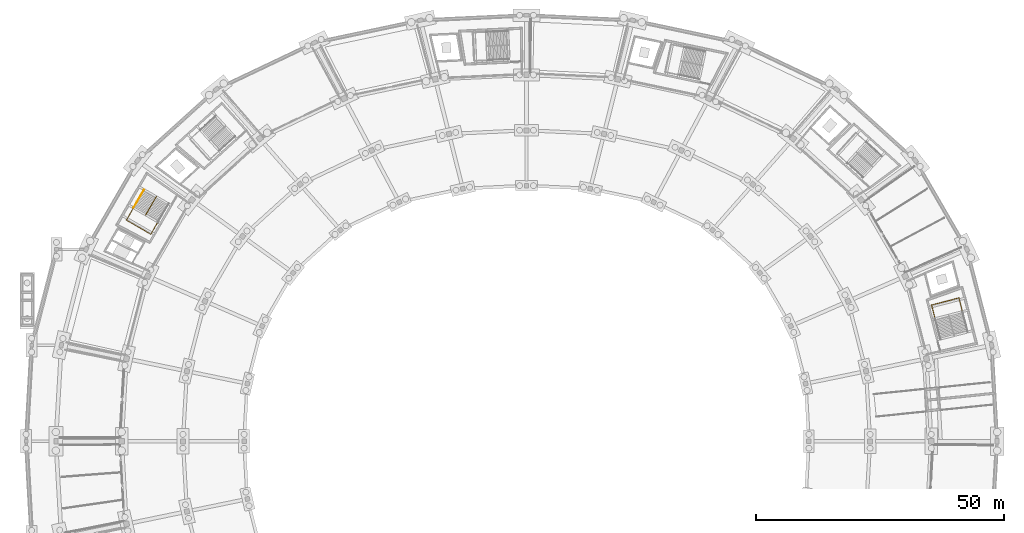
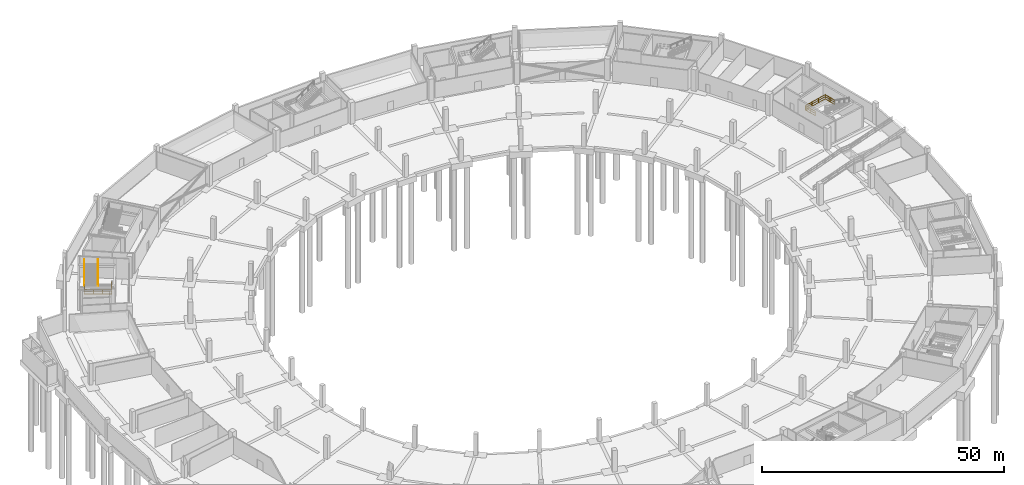
# One storey, part 46 of 49: 4 railings.
"""IFC4 building model written with IfcOpenShell, lengths in metres."""

from ifc_helpers import new_model, si_unit, direction, frame, origin, origin_2d, place, context, subcontext, project, spatial, rectangle, extrude, material, type_object, element, save


model = new_model("IFC4")

# Units and contexts
model_context = context("Model", 3, precision=1e-05, world=origin(), true_north=direction((0.0, 1.0)))
body_context = subcontext(model_context, "Body", "Model", "MODEL_VIEW")
ifc_project = project(units=[si_unit("LENGTHUNIT", "METRE"), si_unit("AREAUNIT", "SQUARE_METRE"), si_unit("VOLUMEUNIT", "CUBIC_METRE"), si_unit("PLANEANGLEUNIT", "RADIAN"), si_unit("MASSUNIT", "GRAM", prefix="KILO")], contexts=[model_context])

# Site, building, storey
site_placement = place(None, origin())
site = spatial("IfcSite", under=ifc_project, at=site_placement, CompositionType="ELEMENT")
building_placement = place(site_placement, origin())
building = spatial("IfcBuilding", under=site, at=building_placement, Name="Kazemori Nagisa Stadium", CompositionType="ELEMENT")
storey_placement = place(building_placement, frame((0.0, 0.0, -5.43994140625)))
storey = spatial("IfcBuildingStorey", under=building, at=storey_placement, Name="B1", CompositionType="ELEMENT", Elevation=-5.43994140625)

# Railings
ifc_material_1 = material(Name="Galvanised powder-coated steel", Category="steel")
railing_type_1 = type_object("IfcRailingType", Name="Rail_GUARD", PredefinedType="GUARDRAIL", material=ifc_material_1)
railing_1_placement = place(storey_placement, frame((205.472412109375, 126.751708984375, 2.719970703125)))
element("IfcRailing", 1, at=railing_1_placement, inside=storey, type_object=railing_type_1, Name="Stair landing guard ST07-B1", PredefinedType="GUARDRAIL", context=body_context, shape_type="SweptSolid", body=[
    extrude(rectangle(XDim=0.050048828125, YDim=0.050048828125, at=origin_2d()), frame((0.0, 0.0, 1.09521484375), z_axis=(-0.249966105142, 0.968254587534, 0.0), x_axis=(-0.968254587534, -0.249966105142, 0.0)), (0.0, 0.0, 1.0), 2.85009765625),
    extrude(rectangle(XDim=0.03759765625, YDim=0.03759765625, at=origin_2d()), frame((0.0, 0.0, 0.58251953125), z_axis=(-0.249966105142, 0.968254587534, 0.0), x_axis=(-0.968254587534, -0.249966105142, 0.0)), (0.0, 0.0, 1.0), 2.85009765625),
    extrude(rectangle(XDim=0.03759765625, YDim=0.03759765625, at=origin_2d()), frame((0.0, 0.0, 0.02490234375), z_axis=(-0.249966105142, 0.968254587534, 0.0), x_axis=(-0.968254587534, -0.249966105142, 0.0)), (0.0, 0.0, 1.0), 2.85009765625),
    extrude(rectangle(XDim=0.050048828125, YDim=0.050048828125, at=origin_2d()), frame((-0.71240234375, 2.759521484375, 1.09521484375), z_axis=(0.968254587534, 0.249966105142, 0.0), x_axis=(-0.249966105142, 0.968254587534, 0.0)), (0.0, 0.0, 1.0), 5.699951171875),
    extrude(rectangle(XDim=0.03759765625, YDim=0.03759765625, at=origin_2d()), frame((-0.71240234375, 2.759521484375, 0.58251953125), z_axis=(0.968254587534, 0.249966105142, 0.0), x_axis=(-0.249966105142, 0.968254587534, 0.0)), (0.0, 0.0, 1.0), 5.699951171875),
    extrude(rectangle(XDim=0.03759765625, YDim=0.03759765625, at=origin_2d()), frame((-0.71240234375, 2.759521484375, 0.02490234375), z_axis=(0.968254587534, 0.249966105142, 0.0), x_axis=(-0.249966105142, 0.968254587534, 0.0)), (0.0, 0.0, 1.0), 5.699951171875),
    extrude(rectangle(XDim=0.050048828125, YDim=0.050048828125, at=origin_2d()), frame((4.806640625, 4.184326171875, 1.09521484375), z_axis=(0.249945373596, -0.968259939385, 0.0), x_axis=(0.968259939385, 0.249945373596, 0.0)), (0.0, 0.0, 1.0), 2.850341796875),
    extrude(rectangle(XDim=0.03759765625, YDim=0.03759765625, at=origin_2d()), frame((4.806640625, 4.184326171875, 0.58251953125), z_axis=(0.249945373596, -0.968259939385, 0.0), x_axis=(0.968259939385, 0.249945373596, 0.0)), (0.0, 0.0, 1.0), 2.850341796875),
    extrude(rectangle(XDim=0.03759765625, YDim=0.03759765625, at=origin_2d()), frame((4.806640625, 4.184326171875, 0.02490234375), z_axis=(0.249945373596, -0.968259939385, 0.0), x_axis=(0.968259939385, 0.249945373596, 0.0)), (0.0, 0.0, 1.0), 2.850341796875),
    extrude(rectangle(XDim=0.044921875, YDim=0.044921875, at=origin_2d()), origin(), (0.0, 0.0, 1.0), 1.070068359375),
    extrude(rectangle(XDim=0.044921875, YDim=0.044921875, at=origin_2d()), frame((-0.356201171875, 1.3798828125, 0.0)), (0.0, 0.0, 1.0), 1.070068359375),
    extrude(rectangle(XDim=0.044921875, YDim=0.044921875, at=origin_2d()), frame((-0.71240234375, 2.759521484375, 0.0)), (0.0, 0.0, 1.0), 1.070068359375),
    extrude(rectangle(XDim=0.044921875, YDim=0.044921875, at=origin_2d()), frame((1.127197265625, 3.234375, 0.0)), (0.0, 0.0, 1.0), 1.070068359375),
    extrude(rectangle(XDim=0.044921875, YDim=0.044921875, at=origin_2d()), frame((2.967041015625, 3.70947265625, 0.0)), (0.0, 0.0, 1.0), 1.070068359375),
    extrude(rectangle(XDim=0.044921875, YDim=0.044921875, at=origin_2d()), frame((4.806640625, 4.184326171875, 0.0)), (0.0, 0.0, 1.0), 1.070068359375),
    extrude(rectangle(XDim=0.044921875, YDim=0.044921875, at=origin_2d()), frame((5.162841796875, 2.804443359375, 0.0)), (0.0, 0.0, 1.0), 1.070068359375),
    extrude(rectangle(XDim=0.044921875, YDim=0.044921875, at=origin_2d()), frame((5.51904296875, 1.424560546875, 0.0)), (0.0, 0.0, 1.0), 1.070068359375),
])
railing_2_placement = place(storey_placement, frame((48.310791015625, 151.439453125, 0.0)))
element("IfcRailing", 2, at=railing_2_placement, inside=storey, type_object=railing_type_1, Name="Stair central guard ST08-B1", PredefinedType="GUARDRAIL", context=body_context, shape_type="SweptSolid", body=[
    extrude(rectangle(XDim=0.050048828125, YDim=0.050048828125, at=origin_2d()), frame((0.0, 0.0, 1.09521484375), z_axis=(-0.424604455669, -0.732330394732, 0.532356317872), x_axis=(0.865106633618, -0.501587990756, 0.0)), (0.0, 0.0, 1.0), 5.109375),
    extrude(rectangle(XDim=0.03759765625, YDim=0.03759765625, at=origin_2d()), frame((0.0, 0.0, 0.58251953125), z_axis=(-0.424604455669, -0.732330394732, 0.532356317872), x_axis=(0.865106633618, -0.501587990756, 0.0)), (0.0, 0.0, 1.0), 5.109375),
    extrude(rectangle(XDim=0.03759765625, YDim=0.03759765625, at=origin_2d()), frame((0.0, 0.0, 0.02490234375), z_axis=(-0.424604455669, -0.732330394732, 0.532356317872), x_axis=(0.865106633618, -0.501587990756, 0.0)), (0.0, 0.0, 1.0), 5.109375),
    extrude(rectangle(XDim=0.050048828125, YDim=0.050048828125, at=origin_2d()), frame((-2.16943359375, -3.74169921875, 3.81494140625), z_axis=(0.422316044077, 0.728411642588, 0.539504993357), x_axis=(-0.865115045716, 0.50157348183, 0.0)), (0.0, 0.0, 1.0), 5.04150390625),
    extrude(rectangle(XDim=0.03759765625, YDim=0.03759765625, at=origin_2d()), frame((-2.16943359375, -3.74169921875, 3.302490234375), z_axis=(0.422316044077, 0.728411642588, 0.539504993357), x_axis=(-0.865115045716, 0.50157348183, 0.0)), (0.0, 0.0, 1.0), 5.04150390625),
    extrude(rectangle(XDim=0.03759765625, YDim=0.03759765625, at=origin_2d()), frame((-2.16943359375, -3.74169921875, 2.7451171875), z_axis=(0.422316044077, 0.728411642588, 0.539504993357), x_axis=(-0.865115045716, 0.50157348183, 0.0)), (0.0, 0.0, 1.0), 5.04150390625),
    extrude(rectangle(XDim=0.044921875, YDim=0.044921875, at=origin_2d()), origin(), (0.0, 0.0, 1.0), 1.070068359375),
    extrude(rectangle(XDim=0.044921875, YDim=0.044921875, at=origin_2d()), frame((-0.72314453125, -1.247314453125, 0.90673828125)), (0.0, 0.0, 1.0), 1.070068359375),
    extrude(rectangle(XDim=0.044921875, YDim=0.044921875, at=origin_2d()), frame((-1.4462890625, -2.494384765625, 1.813232421875)), (0.0, 0.0, 1.0), 1.070068359375),
    extrude(rectangle(XDim=0.044921875, YDim=0.044921875, at=origin_2d()), frame((-2.16943359375, -3.74169921875, 2.719970703125)), (0.0, 0.0, 1.0), 1.070068359375),
    extrude(rectangle(XDim=0.044921875, YDim=0.044921875, at=origin_2d()), frame((-1.459716796875, -2.517578125, 3.626708984375)), (0.0, 0.0, 1.0), 1.070068359375),
    extrude(rectangle(XDim=0.044921875, YDim=0.044921875, at=origin_2d()), frame((-0.75, -1.29345703125, 4.533203125)), (0.0, 0.0, 1.0), 1.070068359375),
    extrude(rectangle(XDim=0.044921875, YDim=0.044921875, at=origin_2d()), frame((-0.040283203125, -0.0693359375, 5.43994140625)), (0.0, 0.0, 1.0), 1.070068359375),
])
railing_3_placement = place(storey_placement, frame((48.606689453125, 146.268310546875, 2.719970703125)))
element("IfcRailing", 3, at=railing_3_placement, inside=storey, type_object=railing_type_1, Name="Stair landing guard ST08-B1", PredefinedType="GUARDRAIL", context=body_context, shape_type="SweptSolid", body=[
    extrude(rectangle(XDim=0.050048828125, YDim=0.050048828125, at=origin_2d()), frame((0.0, 0.0, 1.09521484375), z_axis=(-0.501562958255, -0.865121146954, 0.0), x_axis=(0.865121146954, -0.501562958255, 0.0)), (0.0, 0.0, 1.0), 2.85009765625),
    extrude(rectangle(XDim=0.03759765625, YDim=0.03759765625, at=origin_2d()), frame((0.0, 0.0, 0.58251953125), z_axis=(-0.501562958255, -0.865121146954, 0.0), x_axis=(0.865121146954, -0.501562958255, 0.0)), (0.0, 0.0, 1.0), 2.85009765625),
    extrude(rectangle(XDim=0.03759765625, YDim=0.03759765625, at=origin_2d()), frame((0.0, 0.0, 0.02490234375), z_axis=(-0.501562958255, -0.865121146954, 0.0), x_axis=(0.865121146954, -0.501562958255, 0.0)), (0.0, 0.0, 1.0), 2.85009765625),
    extrude(rectangle(XDim=0.050048828125, YDim=0.050048828125, at=origin_2d()), frame((-1.429443359375, -2.465576171875, 1.09521484375), z_axis=(-0.865102561401, 0.501595014188, 0.0), x_axis=(-0.501595014188, -0.865102561401, 0.0)), (0.0, 0.0, 1.0), 5.7001953125),
    extrude(rectangle(XDim=0.03759765625, YDim=0.03759765625, at=origin_2d()), frame((-1.429443359375, -2.465576171875, 0.58251953125), z_axis=(-0.865102561401, 0.501595014188, 0.0), x_axis=(-0.501595014188, -0.865102561401, 0.0)), (0.0, 0.0, 1.0), 5.7001953125),
    extrude(rectangle(XDim=0.03759765625, YDim=0.03759765625, at=origin_2d()), frame((-1.429443359375, -2.465576171875, 0.02490234375), z_axis=(-0.865102561401, 0.501595014188, 0.0), x_axis=(-0.501595014188, -0.865102561401, 0.0)), (0.0, 0.0, 1.0), 5.7001953125),
    extrude(rectangle(XDim=0.050048828125, YDim=0.050048828125, at=origin_2d()), frame((-6.360595703125, 0.3935546875, 1.09521484375), z_axis=(0.501627068055, 0.865083975458, 0.0), x_axis=(-0.865083975458, 0.501627068055, 0.0)), (0.0, 0.0, 1.0), 2.85009765625),
    extrude(rectangle(XDim=0.03759765625, YDim=0.03759765625, at=origin_2d()), frame((-6.360595703125, 0.3935546875, 0.58251953125), z_axis=(0.501627068055, 0.865083975458, 0.0), x_axis=(-0.865083975458, 0.501627068055, 0.0)), (0.0, 0.0, 1.0), 2.85009765625),
    extrude(rectangle(XDim=0.03759765625, YDim=0.03759765625, at=origin_2d()), frame((-6.360595703125, 0.3935546875, 0.02490234375), z_axis=(0.501627068055, 0.865083975458, 0.0), x_axis=(-0.865083975458, 0.501627068055, 0.0)), (0.0, 0.0, 1.0), 2.85009765625),
    extrude(rectangle(XDim=0.044921875, YDim=0.044921875, at=origin_2d()), origin(), (0.0, 0.0, 1.0), 1.070068359375),
    extrude(rectangle(XDim=0.044921875, YDim=0.044921875, at=origin_2d()), frame((-0.71484375, -1.23291015625, 0.0)), (0.0, 0.0, 1.0), 1.070068359375),
    extrude(rectangle(XDim=0.044921875, YDim=0.044921875, at=origin_2d()), frame((-1.429443359375, -2.465576171875, 0.0)), (0.0, 0.0, 1.0), 1.070068359375),
    extrude(rectangle(XDim=0.044921875, YDim=0.044921875, at=origin_2d()), frame((-3.0732421875, -1.512451171875, 0.0)), (0.0, 0.0, 1.0), 1.070068359375),
    extrude(rectangle(XDim=0.044921875, YDim=0.044921875, at=origin_2d()), frame((-4.716796875, -0.5595703125, 0.0)), (0.0, 0.0, 1.0), 1.070068359375),
    extrude(rectangle(XDim=0.044921875, YDim=0.044921875, at=origin_2d()), frame((-6.360595703125, 0.3935546875, 0.0)), (0.0, 0.0, 1.0), 1.070068359375),
    extrude(rectangle(XDim=0.044921875, YDim=0.044921875, at=origin_2d()), frame((-5.645751953125, 1.62646484375, 0.0)), (0.0, 0.0, 1.0), 1.070068359375),
    extrude(rectangle(XDim=0.044921875, YDim=0.044921875, at=origin_2d()), frame((-4.930908203125, 2.859130859375, 0.0)), (0.0, 0.0, 1.0), 1.070068359375),
])
ifc_material_2 = material(Name="Stainless steel SUS304", Category="steel")
railing_type_2 = type_object("IfcRailingType", Name="Rail_HAND", PredefinedType="HANDRAIL", material=ifc_material_2)
railing_4_placement = place(storey_placement, frame((43.67578125, 149.12744140625, 2.889892578125)))
element("IfcRailing", 4, at=railing_4_placement, inside=storey, type_object=railing_type_2, Name="Stair handrail ST08-B1-F2", PredefinedType="HANDRAIL", context=body_context, shape_type="SweptSolid", body=[
    extrude(rectangle(XDim=0.050048828125, YDim=0.050048828125, at=origin_2d()), frame((0.0, 0.0, 0.875), z_axis=(0.42235583137, 0.728396745639, 0.53949395979), x_axis=(-0.865090089266, 0.501616524304, 0.0)), (0.0, 0.0, 1.0), 5.041748046875),
    extrude(rectangle(XDim=0.044921875, YDim=0.044921875, at=origin_2d()), origin(), (0.0, 0.0, 1.0), 0.849853515625),
    extrude(rectangle(XDim=0.044921875, YDim=0.044921875, at=origin_2d()), frame((0.709716796875, 1.22412109375, 0.90673828125)), (0.0, 0.0, 1.0), 0.849853515625),
    extrude(rectangle(XDim=0.044921875, YDim=0.044921875, at=origin_2d()), frame((1.419677734375, 2.4482421875, 1.813232421875)), (0.0, 0.0, 1.0), 0.849853515625),
    extrude(rectangle(XDim=0.044921875, YDim=0.044921875, at=origin_2d()), frame((2.12939453125, 3.67236328125, 2.719970703125)), (0.0, 0.0, 1.0), 0.849853515625),
])

save(model, "model.ifc")
